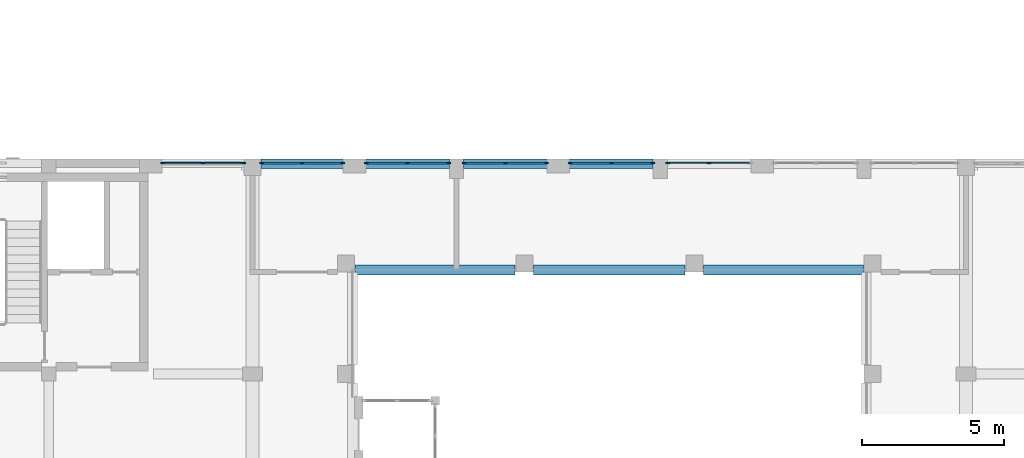
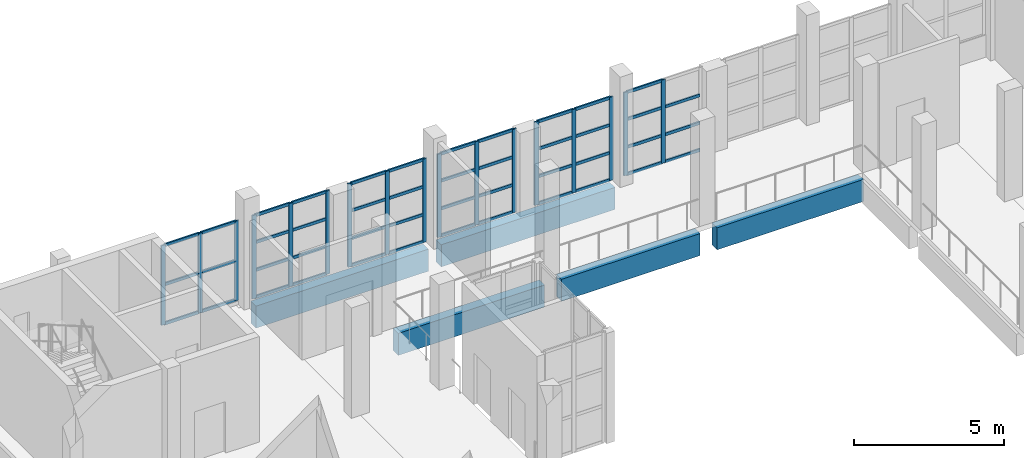
# One storey, part 10 of 58: 62 members, 5 beams, 6 elements without a shape of their own.
"""IFC4 building model written with IfcOpenShell, lengths in metres."""

from ifc_helpers import new_model, si_unit, direction, frame, origin, origin_2d, place, context, subcontext, project, spatial, rectangle, extrude, material, layer, layer_set, material_profile, profile_set, type_object, element, aggregate, save


model = new_model("IFC4")

# Units and contexts
model_context = context("Model", 3, precision=1e-05, world=origin(), true_north=direction((0.0, 1.0)))
body_context = subcontext(model_context, "Body", "Model", "MODEL_VIEW")
ifc_project = project(units=[si_unit("LENGTHUNIT", "METRE"), si_unit("AREAUNIT", "SQUARE_METRE"), si_unit("VOLUMEUNIT", "CUBIC_METRE"), si_unit("PLANEANGLEUNIT", "RADIAN"), si_unit("MASSUNIT", "GRAM", prefix="KILO")], contexts=[model_context])

# Site, building, storey
site_placement = place(None, origin())
site = spatial("IfcSite", under=ifc_project, at=site_placement, CompositionType="ELEMENT")
building_placement = place(site_placement, origin())
building = spatial("IfcBuilding", under=site, at=building_placement, Name="Ussher Court Research Institute", CompositionType="ELEMENT")
storey_placement = place(building_placement, frame((0.0, 0.0, 9.89990234375)))
storey = spatial("IfcBuildingStorey", under=building, at=storey_placement, Name="L02", CompositionType="ELEMENT", Elevation=9.89990234375)

# Curtain wall, members
ifc_material_1 = material(Name="Bronze anodised aluminium with fire-resisting glass", Category="aluminium")
ifc_layer_1 = layer(ifc_material_1, 0.1201171875)
ifc_layer_set_1 = layer_set([ifc_layer_1], Name="Bronze anodised aluminium with fire-resisting glass")
curtain_wall_type_1 = type_object("IfcCurtainWallType", Name="Curtain wall stair-side fire-resisting glazing", PredefinedType="NOTDEFINED", material=ifc_layer_set_1)
curtain_wall_1_placement = place(storey_placement, origin())
curtain_wall_1 = element("IfcCurtainWall", 1, at=curtain_wall_1_placement, inside=storey, type_object=curtain_wall_type_1, Name="Curtain wall CW13 L02", PredefinedType="NOTDEFINED")
ifc_material_2 = material(Name="Bronze anodised aluminium", Category="aluminium")
ifc_material_profile_1 = material_profile(ifc_material_2, rectangle(XDim=0.06005859375, YDim=0.159912109375, at=origin_2d()), Name="Mullion 60x160")
ifc_profile_set_1 = profile_set([ifc_material_profile_1], Name="Bronze anodised aluminium")
member_type_1 = type_object("IfcMemberType", Name="Mullion 60x160", PredefinedType="MULLION", material=ifc_profile_set_1)
member_1_placement = place(storey_placement, frame((35.830078125, 40.25, 0.150146484375), z_axis=(0.0, 0.0, 1.0), x_axis=(0.0, 1.0, 0.0)))
member_1 = element("IfcMember", 2, at=member_1_placement, type_object=member_type_1, Name="CW13 mullion 1", PredefinedType="MULLION", context=body_context, shape_type="SweptSolid", body=[
    extrude(rectangle(XDim=0.06005859375, YDim=0.159912109375, at=origin_2d()), origin(), (0.0, 0.0, 1.0), 3.25),
])
member_2_placement = place(storey_placement, frame((37.25, 40.25, 0.150146484375), z_axis=(0.0, 0.0, 1.0), x_axis=(0.0, 1.0, 0.0)))
member_2 = element("IfcMember", 3, at=member_2_placement, type_object=member_type_1, Name="CW13 mullion 2", PredefinedType="MULLION", context=body_context, shape_type="SweptSolid", body=[
    extrude(rectangle(XDim=0.06005859375, YDim=0.159912109375, at=origin_2d()), origin(), (0.0, 0.0, 1.0), 3.25),
])
member_3_placement = place(storey_placement, frame((38.669921875, 40.25, 0.150146484375), z_axis=(0.0, 0.0, 1.0), x_axis=(0.0, 1.0, 0.0)))
member_3 = element("IfcMember", 4, at=member_3_placement, type_object=member_type_1, Name="CW13 mullion 3", PredefinedType="MULLION", context=body_context, shape_type="SweptSolid", body=[
    extrude(rectangle(XDim=0.06005859375, YDim=0.159912109375, at=origin_2d()), origin(), (0.0, 0.0, 1.0), 3.25),
])

ifc_material_3 = material(Name="Bronze anodised aluminium with low-e glass", Category="aluminium")
ifc_layer_2 = layer(ifc_material_3, 0.1201171875)
ifc_layer_set_2 = layer_set([ifc_layer_2], Name="Bronze anodised aluminium with low-e glass")
curtain_wall_type_2 = type_object("IfcCurtainWallType", Name="Curtain wall atrium clear glazing", PredefinedType="NOTDEFINED", material=ifc_layer_set_2)
curtain_wall_2_placement = place(storey_placement, origin())
curtain_wall_2 = element("IfcCurtainWall", 5, at=curtain_wall_2_placement, inside=storey, type_object=curtain_wall_type_2, Name="Curtain wall CW2 L02", PredefinedType="NOTDEFINED")
member_4_placement = place(storey_placement, frame((39.330078125, 40.25, 0.0), z_axis=(0.0, 0.0, 1.0), x_axis=(0.0, 1.0, 0.0)))
member_4 = element("IfcMember", 6, at=member_4_placement, type_object=member_type_1, Name="CW2 mullion 1", PredefinedType="MULLION", context=body_context, shape_type="SweptSolid", body=[
    extrude(rectangle(XDim=0.06005859375, YDim=0.159912109375, at=origin_2d()), origin(), (0.0, 0.0, 1.0), 3.400146484375),
])
member_5_placement = place(storey_placement, frame((40.75, 40.25, 0.0), z_axis=(0.0, 0.0, 1.0), x_axis=(0.0, 1.0, 0.0)))
member_5 = element("IfcMember", 7, at=member_5_placement, type_object=member_type_1, Name="CW2 mullion 2", PredefinedType="MULLION", context=body_context, shape_type="SweptSolid", body=[
    extrude(rectangle(XDim=0.06005859375, YDim=0.159912109375, at=origin_2d()), origin(), (0.0, 0.0, 1.0), 3.400146484375),
])
member_6_placement = place(storey_placement, frame((42.169921875, 40.25, 0.0), z_axis=(0.0, 0.0, 1.0), x_axis=(0.0, 1.0, 0.0)))
member_6 = element("IfcMember", 8, at=member_6_placement, type_object=member_type_1, Name="CW2 mullion 3", PredefinedType="MULLION", context=body_context, shape_type="SweptSolid", body=[
    extrude(rectangle(XDim=0.06005859375, YDim=0.159912109375, at=origin_2d()), origin(), (0.0, 0.0, 1.0), 3.400146484375),
])

curtain_wall_3_placement = place(storey_placement, origin())
curtain_wall_3 = element("IfcCurtainWall", 9, at=curtain_wall_3_placement, inside=storey, type_object=curtain_wall_type_2, Name="Curtain wall CW2 L02", PredefinedType="NOTDEFINED")
member_7_placement = place(storey_placement, frame((43.030029296875, 40.25, 0.0), z_axis=(0.0, 0.0, 1.0), x_axis=(0.0, 1.0, 0.0)))
member_7 = element("IfcMember", 10, at=member_7_placement, type_object=member_type_1, Name="CW2 mullion 1", PredefinedType="MULLION", context=body_context, shape_type="SweptSolid", body=[
    extrude(rectangle(XDim=0.06005859375, YDim=0.159912109375, at=origin_2d()), origin(), (0.0, 0.0, 1.0), 3.400146484375),
])
member_8_placement = place(storey_placement, frame((44.47509765625, 40.25, 0.0), z_axis=(0.0, 0.0, 1.0), x_axis=(0.0, 1.0, 0.0)))
member_8 = element("IfcMember", 11, at=member_8_placement, type_object=member_type_1, Name="CW2 mullion 2", PredefinedType="MULLION", context=body_context, shape_type="SweptSolid", body=[
    extrude(rectangle(XDim=0.06005859375, YDim=0.159912109375, at=origin_2d()), origin(), (0.0, 0.0, 1.0), 3.400146484375),
])
member_9_placement = place(storey_placement, frame((45.919921875, 40.25, 0.0), z_axis=(0.0, 0.0, 1.0), x_axis=(0.0, 1.0, 0.0)))
member_9 = element("IfcMember", 12, at=member_9_placement, type_object=member_type_1, Name="CW2 mullion 3", PredefinedType="MULLION", context=body_context, shape_type="SweptSolid", body=[
    extrude(rectangle(XDim=0.06005859375, YDim=0.159912109375, at=origin_2d()), origin(), (0.0, 0.0, 1.0), 3.400146484375),
])

curtain_wall_4_placement = place(storey_placement, origin())
curtain_wall_4 = element("IfcCurtainWall", 13, at=curtain_wall_4_placement, inside=storey, type_object=curtain_wall_type_2, Name="Curtain wall CW2 L02", PredefinedType="NOTDEFINED")
member_10_placement = place(storey_placement, frame((46.47998046875, 40.25, 0.0), z_axis=(0.0, 0.0, 1.0), x_axis=(0.0, 1.0, 0.0)))
member_10 = element("IfcMember", 14, at=member_10_placement, type_object=member_type_1, Name="CW2 mullion 1", PredefinedType="MULLION", context=body_context, shape_type="SweptSolid", body=[
    extrude(rectangle(XDim=0.06005859375, YDim=0.159912109375, at=origin_2d()), origin(), (0.0, 0.0, 1.0), 3.400146484375),
])
member_11_placement = place(storey_placement, frame((47.925048828125, 40.25, 0.0), z_axis=(0.0, 0.0, 1.0), x_axis=(0.0, 1.0, 0.0)))
member_11 = element("IfcMember", 15, at=member_11_placement, type_object=member_type_1, Name="CW2 mullion 2", PredefinedType="MULLION", context=body_context, shape_type="SweptSolid", body=[
    extrude(rectangle(XDim=0.06005859375, YDim=0.159912109375, at=origin_2d()), origin(), (0.0, 0.0, 1.0), 3.400146484375),
])
member_12_placement = place(storey_placement, frame((49.3701171875, 40.25, 0.0), z_axis=(0.0, 0.0, 1.0), x_axis=(0.0, 1.0, 0.0)))
member_12 = element("IfcMember", 16, at=member_12_placement, type_object=member_type_1, Name="CW2 mullion 3", PredefinedType="MULLION", context=body_context, shape_type="SweptSolid", body=[
    extrude(rectangle(XDim=0.06005859375, YDim=0.159912109375, at=origin_2d()), origin(), (0.0, 0.0, 1.0), 3.400146484375),
])

curtain_wall_5_placement = place(storey_placement, origin())
curtain_wall_5 = element("IfcCurtainWall", 17, at=curtain_wall_5_placement, inside=storey, type_object=curtain_wall_type_2, Name="Curtain wall CW2 L02", PredefinedType="NOTDEFINED")
member_13_placement = place(storey_placement, frame((50.22998046875, 40.25, 0.0), z_axis=(0.0, 0.0, 1.0), x_axis=(0.0, 1.0, 0.0)))
member_13 = element("IfcMember", 18, at=member_13_placement, type_object=member_type_1, Name="CW2 mullion 1", PredefinedType="MULLION", context=body_context, shape_type="SweptSolid", body=[
    extrude(rectangle(XDim=0.06005859375, YDim=0.159912109375, at=origin_2d()), origin(), (0.0, 0.0, 1.0), 3.400146484375),
])
member_14_placement = place(storey_placement, frame((51.675048828125, 40.25, 0.0), z_axis=(0.0, 0.0, 1.0), x_axis=(0.0, 1.0, 0.0)))
member_14 = element("IfcMember", 19, at=member_14_placement, type_object=member_type_1, Name="CW2 mullion 2", PredefinedType="MULLION", context=body_context, shape_type="SweptSolid", body=[
    extrude(rectangle(XDim=0.06005859375, YDim=0.159912109375, at=origin_2d()), origin(), (0.0, 0.0, 1.0), 3.400146484375),
])
member_15_placement = place(storey_placement, frame((53.1201171875, 40.25, 0.0), z_axis=(0.0, 0.0, 1.0), x_axis=(0.0, 1.0, 0.0)))
member_15 = element("IfcMember", 20, at=member_15_placement, type_object=member_type_1, Name="CW2 mullion 3", PredefinedType="MULLION", context=body_context, shape_type="SweptSolid", body=[
    extrude(rectangle(XDim=0.06005859375, YDim=0.159912109375, at=origin_2d()), origin(), (0.0, 0.0, 1.0), 3.400146484375),
])

curtain_wall_6_placement = place(storey_placement, origin())
curtain_wall_6 = element("IfcCurtainWall", 21, at=curtain_wall_6_placement, inside=storey, type_object=curtain_wall_type_2, Name="Curtain wall CW2 L02", PredefinedType="NOTDEFINED")
member_16_placement = place(storey_placement, frame((53.679931640625, 40.25, 0.0), z_axis=(0.0, 0.0, 1.0), x_axis=(0.0, 1.0, 0.0)))
member_16 = element("IfcMember", 22, at=member_16_placement, type_object=member_type_1, Name="CW2 mullion 1", PredefinedType="MULLION", context=body_context, shape_type="SweptSolid", body=[
    extrude(rectangle(XDim=0.06005859375, YDim=0.159912109375, at=origin_2d()), origin(), (0.0, 0.0, 1.0), 3.400146484375),
])
member_17_placement = place(storey_placement, frame((55.125, 40.25, 0.0), z_axis=(0.0, 0.0, 1.0), x_axis=(0.0, 1.0, 0.0)))
member_17 = element("IfcMember", 23, at=member_17_placement, type_object=member_type_1, Name="CW2 mullion 2", PredefinedType="MULLION", context=body_context, shape_type="SweptSolid", body=[
    extrude(rectangle(XDim=0.06005859375, YDim=0.159912109375, at=origin_2d()), origin(), (0.0, 0.0, 1.0), 3.400146484375),
])

# Beams
ifc_material_4 = material(Name="Concrete C35/45", Category="concrete")
ifc_material_profile_2 = material_profile(ifc_material_4, rectangle(XDim=0.35009765625, YDim=0.89990234375, at=origin_2d()), Name="RC 350x900")
ifc_profile_set_2 = profile_set([ifc_material_profile_2], Name="Concrete C35/45")
beam_type = type_object("IfcBeamType", Name="RC 350x900 beam", PredefinedType="BEAM", material=ifc_profile_set_2)
beam_1_placement = place(storey_placement, frame((39.300048828125, 40.22509765625, -0.64990234375), z_axis=(1.0, 0.0, 0.0), x_axis=(0.0, 1.0, 0.0)))
element("IfcBeam", 24, at=beam_1_placement, inside=storey, type_object=beam_type, Name="SB1 V2 L02-05", PredefinedType="BEAM", context=body_context, shape_type="SweptSolid", body=[
    extrude(rectangle(XDim=0.35009765625, YDim=0.89990234375, at=origin_2d()), origin(), (0.0, 0.0, 1.0), 6.64990234375),
])
beam_2_placement = place(storey_placement, frame((46.449951171875, 40.22509765625, -0.64990234375), z_axis=(1.0, 0.0, 0.0), x_axis=(0.0, 1.0, 0.0)))
element("IfcBeam", 25, at=beam_2_placement, inside=storey, type_object=beam_type, Name="SB1 V2 L02-06", PredefinedType="BEAM", context=body_context, shape_type="SweptSolid", body=[
    extrude(rectangle(XDim=0.35009765625, YDim=0.89990234375, at=origin_2d()), origin(), (0.0, 0.0, 1.0), 6.699951171875),
])
beam_3_placement = place(storey_placement, frame((42.625, 36.47509765625, -0.64990234375), z_axis=(1.0, 0.0, 0.0), x_axis=(0.0, 1.0, 0.0)))
element("IfcBeam", 26, at=beam_3_placement, inside=storey, type_object=beam_type, Name="SB1 V2 L02-20", PredefinedType="BEAM", context=body_context, shape_type="SweptSolid", body=[
    extrude(rectangle(XDim=0.35009765625, YDim=0.89990234375, at=origin_2d()), origin(), (0.0, 0.0, 1.0), 5.64990234375),
])
beam_4_placement = place(storey_placement, frame((48.925048828125, 36.47509765625, -0.64990234375), z_axis=(1.0, 0.0, 0.0), x_axis=(0.0, 1.0, 0.0)))
element("IfcBeam", 27, at=beam_4_placement, inside=storey, type_object=beam_type, Name="SB1 V2 L02-21", PredefinedType="BEAM", context=body_context, shape_type="SweptSolid", body=[
    extrude(rectangle(XDim=0.35009765625, YDim=0.89990234375, at=origin_2d()), origin(), (0.0, 0.0, 1.0), 5.349853515625),
])
beam_5_placement = place(storey_placement, frame((54.925048828125, 36.47509765625, -0.64990234375), z_axis=(1.0, 0.0, 0.0), x_axis=(0.0, 1.0, 0.0)))
element("IfcBeam", 28, at=beam_5_placement, inside=storey, type_object=beam_type, Name="SB1 V2 L02-22", PredefinedType="BEAM", context=body_context, shape_type="SweptSolid", body=[
    extrude(rectangle(XDim=0.35009765625, YDim=0.89990234375, at=origin_2d()), origin(), (0.0, 0.0, 1.0), 5.64990234375),
])

# Member
ifc_material_5 = material(Name="Bronze anodised aluminium", Category="aluminium")
ifc_material_profile_3 = material_profile(ifc_material_5, rectangle(XDim=0.06005859375, YDim=0.1201171875, at=origin_2d()), Name="Transom 60x120")
ifc_profile_set_3 = profile_set([ifc_material_profile_3], Name="Bronze anodised aluminium")
member_type_2 = type_object("IfcMemberType", Name="Transom 60x120", PredefinedType="USERDEFINED", material=ifc_profile_set_3)
member_18_placement = place(storey_placement, frame((35.860107421875, 40.25, 0.18017578125), z_axis=(1.0, 0.0, 0.0), x_axis=(0.0, 1.0, 0.0)))
member_18 = element("IfcMember", 29, at=member_18_placement, type_object=member_type_2, Name="CW13 transom 1.1", ObjectType="TRANSOM", PredefinedType="USERDEFINED", context=body_context, shape_type="SweptSolid", body=[
    extrude(rectangle(XDim=0.06005859375, YDim=0.1201171875, at=origin_2d()), origin(), (0.0, 0.0, 1.0), 1.35986328125),
])

member_19_placement = place(storey_placement, frame((35.860107421875, 40.25, 1.775146484375), z_axis=(1.0, 0.0, 0.0), x_axis=(0.0, 1.0, 0.0)))
member_19 = element("IfcMember", 30, at=member_19_placement, type_object=member_type_2, Name="CW13 transom 1.2", ObjectType="TRANSOM", PredefinedType="USERDEFINED", context=body_context, shape_type="SweptSolid", body=[
    extrude(rectangle(XDim=0.06005859375, YDim=0.1201171875, at=origin_2d()), origin(), (0.0, 0.0, 1.0), 1.35986328125),
])

member_20_placement = place(storey_placement, frame((35.860107421875, 40.25, 3.3701171875), z_axis=(1.0, 0.0, 0.0), x_axis=(0.0, 1.0, 0.0)))
member_20 = element("IfcMember", 31, at=member_20_placement, type_object=member_type_2, Name="CW13 transom 1.3", ObjectType="TRANSOM", PredefinedType="USERDEFINED", context=body_context, shape_type="SweptSolid", body=[
    extrude(rectangle(XDim=0.06005859375, YDim=0.1201171875, at=origin_2d()), origin(), (0.0, 0.0, 1.0), 1.35986328125),
])

member_21_placement = place(storey_placement, frame((37.280029296875, 40.25, 0.18017578125), z_axis=(1.0, 0.0, 0.0), x_axis=(0.0, 1.0, 0.0)))
member_21 = element("IfcMember", 32, at=member_21_placement, type_object=member_type_2, Name="CW13 transom 2.1", ObjectType="TRANSOM", PredefinedType="USERDEFINED", context=body_context, shape_type="SweptSolid", body=[
    extrude(rectangle(XDim=0.06005859375, YDim=0.1201171875, at=origin_2d()), origin(), (0.0, 0.0, 1.0), 1.35986328125),
])

member_22_placement = place(storey_placement, frame((37.280029296875, 40.25, 1.775146484375), z_axis=(1.0, 0.0, 0.0), x_axis=(0.0, 1.0, 0.0)))
member_22 = element("IfcMember", 33, at=member_22_placement, type_object=member_type_2, Name="CW13 transom 2.2", ObjectType="TRANSOM", PredefinedType="USERDEFINED", context=body_context, shape_type="SweptSolid", body=[
    extrude(rectangle(XDim=0.06005859375, YDim=0.1201171875, at=origin_2d()), origin(), (0.0, 0.0, 1.0), 1.35986328125),
])

member_23_placement = place(storey_placement, frame((37.280029296875, 40.25, 3.3701171875), z_axis=(1.0, 0.0, 0.0), x_axis=(0.0, 1.0, 0.0)))
member_23 = element("IfcMember", 34, at=member_23_placement, type_object=member_type_2, Name="CW13 transom 2.3", ObjectType="TRANSOM", PredefinedType="USERDEFINED", context=body_context, shape_type="SweptSolid", body=[
    extrude(rectangle(XDim=0.06005859375, YDim=0.1201171875, at=origin_2d()), origin(), (0.0, 0.0, 1.0), 1.35986328125),
])

aggregate(curtain_wall_1, [member_1, member_2, member_3, member_18, member_19, member_20, member_21, member_22, member_23])

member_24_placement = place(storey_placement, frame((39.360107421875, 40.25, 0.030029296875), z_axis=(1.0, 0.0, 0.0), x_axis=(0.0, 1.0, 0.0)))
member_24 = element("IfcMember", 35, at=member_24_placement, type_object=member_type_2, Name="CW2 transom 1.1", ObjectType="TRANSOM", PredefinedType="USERDEFINED", context=body_context, shape_type="SweptSolid", body=[
    extrude(rectangle(XDim=0.06005859375, YDim=0.1201171875, at=origin_2d()), origin(), (0.0, 0.0, 1.0), 1.35986328125),
])

member_25_placement = place(storey_placement, frame((39.360107421875, 40.25, 1.13330078125), z_axis=(1.0, 0.0, 0.0), x_axis=(0.0, 1.0, 0.0)))
member_25 = element("IfcMember", 36, at=member_25_placement, type_object=member_type_2, Name="CW2 transom 1.2", ObjectType="TRANSOM", PredefinedType="USERDEFINED", context=body_context, shape_type="SweptSolid", body=[
    extrude(rectangle(XDim=0.06005859375, YDim=0.1201171875, at=origin_2d()), origin(), (0.0, 0.0, 1.0), 1.35986328125),
])

member_26_placement = place(storey_placement, frame((39.360107421875, 40.25, 2.266845703125), z_axis=(1.0, 0.0, 0.0), x_axis=(0.0, 1.0, 0.0)))
member_26 = element("IfcMember", 37, at=member_26_placement, type_object=member_type_2, Name="CW2 transom 1.3", ObjectType="TRANSOM", PredefinedType="USERDEFINED", context=body_context, shape_type="SweptSolid", body=[
    extrude(rectangle(XDim=0.06005859375, YDim=0.1201171875, at=origin_2d()), origin(), (0.0, 0.0, 1.0), 1.35986328125),
])

member_27_placement = place(storey_placement, frame((39.360107421875, 40.25, 3.3701171875), z_axis=(1.0, 0.0, 0.0), x_axis=(0.0, 1.0, 0.0)))
member_27 = element("IfcMember", 38, at=member_27_placement, type_object=member_type_2, Name="CW2 transom 1.4", ObjectType="TRANSOM", PredefinedType="USERDEFINED", context=body_context, shape_type="SweptSolid", body=[
    extrude(rectangle(XDim=0.06005859375, YDim=0.1201171875, at=origin_2d()), origin(), (0.0, 0.0, 1.0), 1.35986328125),
])

member_28_placement = place(storey_placement, frame((40.780029296875, 40.25, 0.030029296875), z_axis=(1.0, 0.0, 0.0), x_axis=(0.0, 1.0, 0.0)))
member_28 = element("IfcMember", 39, at=member_28_placement, type_object=member_type_2, Name="CW2 transom 2.1", ObjectType="TRANSOM", PredefinedType="USERDEFINED", context=body_context, shape_type="SweptSolid", body=[
    extrude(rectangle(XDim=0.06005859375, YDim=0.1201171875, at=origin_2d()), origin(), (0.0, 0.0, 1.0), 1.35986328125),
])

member_29_placement = place(storey_placement, frame((40.780029296875, 40.25, 1.13330078125), z_axis=(1.0, 0.0, 0.0), x_axis=(0.0, 1.0, 0.0)))
member_29 = element("IfcMember", 40, at=member_29_placement, type_object=member_type_2, Name="CW2 transom 2.2", ObjectType="TRANSOM", PredefinedType="USERDEFINED", context=body_context, shape_type="SweptSolid", body=[
    extrude(rectangle(XDim=0.06005859375, YDim=0.1201171875, at=origin_2d()), origin(), (0.0, 0.0, 1.0), 1.35986328125),
])

member_30_placement = place(storey_placement, frame((40.780029296875, 40.25, 2.266845703125), z_axis=(1.0, 0.0, 0.0), x_axis=(0.0, 1.0, 0.0)))
member_30 = element("IfcMember", 41, at=member_30_placement, type_object=member_type_2, Name="CW2 transom 2.3", ObjectType="TRANSOM", PredefinedType="USERDEFINED", context=body_context, shape_type="SweptSolid", body=[
    extrude(rectangle(XDim=0.06005859375, YDim=0.1201171875, at=origin_2d()), origin(), (0.0, 0.0, 1.0), 1.35986328125),
])

member_31_placement = place(storey_placement, frame((40.780029296875, 40.25, 3.3701171875), z_axis=(1.0, 0.0, 0.0), x_axis=(0.0, 1.0, 0.0)))
member_31 = element("IfcMember", 42, at=member_31_placement, type_object=member_type_2, Name="CW2 transom 2.4", ObjectType="TRANSOM", PredefinedType="USERDEFINED", context=body_context, shape_type="SweptSolid", body=[
    extrude(rectangle(XDim=0.06005859375, YDim=0.1201171875, at=origin_2d()), origin(), (0.0, 0.0, 1.0), 1.35986328125),
])

aggregate(curtain_wall_2, [member_4, member_5, member_6, member_24, member_25, member_26, member_27, member_28, member_29, member_30, member_31])

member_32_placement = place(storey_placement, frame((43.06005859375, 40.25, 0.030029296875), z_axis=(1.0, 0.0, 0.0), x_axis=(0.0, 1.0, 0.0)))
member_32 = element("IfcMember", 43, at=member_32_placement, type_object=member_type_2, Name="CW2 transom 1.1", ObjectType="TRANSOM", PredefinedType="USERDEFINED", context=body_context, shape_type="SweptSolid", body=[
    extrude(rectangle(XDim=0.06005859375, YDim=0.1201171875, at=origin_2d()), origin(), (0.0, 0.0, 1.0), 1.385009765625),
])

member_33_placement = place(storey_placement, frame((43.06005859375, 40.25, 1.13330078125), z_axis=(1.0, 0.0, 0.0), x_axis=(0.0, 1.0, 0.0)))
member_33 = element("IfcMember", 44, at=member_33_placement, type_object=member_type_2, Name="CW2 transom 1.2", ObjectType="TRANSOM", PredefinedType="USERDEFINED", context=body_context, shape_type="SweptSolid", body=[
    extrude(rectangle(XDim=0.06005859375, YDim=0.1201171875, at=origin_2d()), origin(), (0.0, 0.0, 1.0), 1.385009765625),
])

member_34_placement = place(storey_placement, frame((43.06005859375, 40.25, 2.266845703125), z_axis=(1.0, 0.0, 0.0), x_axis=(0.0, 1.0, 0.0)))
member_34 = element("IfcMember", 45, at=member_34_placement, type_object=member_type_2, Name="CW2 transom 1.3", ObjectType="TRANSOM", PredefinedType="USERDEFINED", context=body_context, shape_type="SweptSolid", body=[
    extrude(rectangle(XDim=0.06005859375, YDim=0.1201171875, at=origin_2d()), origin(), (0.0, 0.0, 1.0), 1.385009765625),
])

member_35_placement = place(storey_placement, frame((43.06005859375, 40.25, 3.3701171875), z_axis=(1.0, 0.0, 0.0), x_axis=(0.0, 1.0, 0.0)))
member_35 = element("IfcMember", 46, at=member_35_placement, type_object=member_type_2, Name="CW2 transom 1.4", ObjectType="TRANSOM", PredefinedType="USERDEFINED", context=body_context, shape_type="SweptSolid", body=[
    extrude(rectangle(XDim=0.06005859375, YDim=0.1201171875, at=origin_2d()), origin(), (0.0, 0.0, 1.0), 1.385009765625),
])

member_36_placement = place(storey_placement, frame((44.5048828125, 40.25, 0.030029296875), z_axis=(1.0, 0.0, 0.0), x_axis=(0.0, 1.0, 0.0)))
member_36 = element("IfcMember", 47, at=member_36_placement, type_object=member_type_2, Name="CW2 transom 2.1", ObjectType="TRANSOM", PredefinedType="USERDEFINED", context=body_context, shape_type="SweptSolid", body=[
    extrude(rectangle(XDim=0.06005859375, YDim=0.1201171875, at=origin_2d()), origin(), (0.0, 0.0, 1.0), 1.385009765625),
])

member_37_placement = place(storey_placement, frame((44.5048828125, 40.25, 1.13330078125), z_axis=(1.0, 0.0, 0.0), x_axis=(0.0, 1.0, 0.0)))
member_37 = element("IfcMember", 48, at=member_37_placement, type_object=member_type_2, Name="CW2 transom 2.2", ObjectType="TRANSOM", PredefinedType="USERDEFINED", context=body_context, shape_type="SweptSolid", body=[
    extrude(rectangle(XDim=0.06005859375, YDim=0.1201171875, at=origin_2d()), origin(), (0.0, 0.0, 1.0), 1.385009765625),
])

member_38_placement = place(storey_placement, frame((44.5048828125, 40.25, 2.266845703125), z_axis=(1.0, 0.0, 0.0), x_axis=(0.0, 1.0, 0.0)))
member_38 = element("IfcMember", 49, at=member_38_placement, type_object=member_type_2, Name="CW2 transom 2.3", ObjectType="TRANSOM", PredefinedType="USERDEFINED", context=body_context, shape_type="SweptSolid", body=[
    extrude(rectangle(XDim=0.06005859375, YDim=0.1201171875, at=origin_2d()), origin(), (0.0, 0.0, 1.0), 1.385009765625),
])

member_39_placement = place(storey_placement, frame((44.5048828125, 40.25, 3.3701171875), z_axis=(1.0, 0.0, 0.0), x_axis=(0.0, 1.0, 0.0)))
member_39 = element("IfcMember", 50, at=member_39_placement, type_object=member_type_2, Name="CW2 transom 2.4", ObjectType="TRANSOM", PredefinedType="USERDEFINED", context=body_context, shape_type="SweptSolid", body=[
    extrude(rectangle(XDim=0.06005859375, YDim=0.1201171875, at=origin_2d()), origin(), (0.0, 0.0, 1.0), 1.385009765625),
])

aggregate(curtain_wall_3, [member_7, member_8, member_9, member_32, member_33, member_34, member_35, member_36, member_37, member_38, member_39])

member_40_placement = place(storey_placement, frame((46.510009765625, 40.25, 0.030029296875), z_axis=(1.0, 0.0, 0.0), x_axis=(0.0, 1.0, 0.0)))
member_40 = element("IfcMember", 51, at=member_40_placement, type_object=member_type_2, Name="CW2 transom 1.1", ObjectType="TRANSOM", PredefinedType="USERDEFINED", context=body_context, shape_type="SweptSolid", body=[
    extrude(rectangle(XDim=0.06005859375, YDim=0.1201171875, at=origin_2d()), origin(), (0.0, 0.0, 1.0), 1.385009765625),
])

member_41_placement = place(storey_placement, frame((46.510009765625, 40.25, 1.13330078125), z_axis=(1.0, 0.0, 0.0), x_axis=(0.0, 1.0, 0.0)))
member_41 = element("IfcMember", 52, at=member_41_placement, type_object=member_type_2, Name="CW2 transom 1.2", ObjectType="TRANSOM", PredefinedType="USERDEFINED", context=body_context, shape_type="SweptSolid", body=[
    extrude(rectangle(XDim=0.06005859375, YDim=0.1201171875, at=origin_2d()), origin(), (0.0, 0.0, 1.0), 1.385009765625),
])

member_42_placement = place(storey_placement, frame((46.510009765625, 40.25, 2.266845703125), z_axis=(1.0, 0.0, 0.0), x_axis=(0.0, 1.0, 0.0)))
member_42 = element("IfcMember", 53, at=member_42_placement, type_object=member_type_2, Name="CW2 transom 1.3", ObjectType="TRANSOM", PredefinedType="USERDEFINED", context=body_context, shape_type="SweptSolid", body=[
    extrude(rectangle(XDim=0.06005859375, YDim=0.1201171875, at=origin_2d()), origin(), (0.0, 0.0, 1.0), 1.385009765625),
])

member_43_placement = place(storey_placement, frame((46.510009765625, 40.25, 3.3701171875), z_axis=(1.0, 0.0, 0.0), x_axis=(0.0, 1.0, 0.0)))
member_43 = element("IfcMember", 54, at=member_43_placement, type_object=member_type_2, Name="CW2 transom 1.4", ObjectType="TRANSOM", PredefinedType="USERDEFINED", context=body_context, shape_type="SweptSolid", body=[
    extrude(rectangle(XDim=0.06005859375, YDim=0.1201171875, at=origin_2d()), origin(), (0.0, 0.0, 1.0), 1.385009765625),
])

member_44_placement = place(storey_placement, frame((47.955078125, 40.25, 0.030029296875), z_axis=(1.0, 0.0, 0.0), x_axis=(0.0, 1.0, 0.0)))
member_44 = element("IfcMember", 55, at=member_44_placement, type_object=member_type_2, Name="CW2 transom 2.1", ObjectType="TRANSOM", PredefinedType="USERDEFINED", context=body_context, shape_type="SweptSolid", body=[
    extrude(rectangle(XDim=0.06005859375, YDim=0.1201171875, at=origin_2d()), origin(), (0.0, 0.0, 1.0), 1.385009765625),
])

member_45_placement = place(storey_placement, frame((47.955078125, 40.25, 1.13330078125), z_axis=(1.0, 0.0, 0.0), x_axis=(0.0, 1.0, 0.0)))
member_45 = element("IfcMember", 56, at=member_45_placement, type_object=member_type_2, Name="CW2 transom 2.2", ObjectType="TRANSOM", PredefinedType="USERDEFINED", context=body_context, shape_type="SweptSolid", body=[
    extrude(rectangle(XDim=0.06005859375, YDim=0.1201171875, at=origin_2d()), origin(), (0.0, 0.0, 1.0), 1.385009765625),
])

member_46_placement = place(storey_placement, frame((47.955078125, 40.25, 2.266845703125), z_axis=(1.0, 0.0, 0.0), x_axis=(0.0, 1.0, 0.0)))
member_46 = element("IfcMember", 57, at=member_46_placement, type_object=member_type_2, Name="CW2 transom 2.3", ObjectType="TRANSOM", PredefinedType="USERDEFINED", context=body_context, shape_type="SweptSolid", body=[
    extrude(rectangle(XDim=0.06005859375, YDim=0.1201171875, at=origin_2d()), origin(), (0.0, 0.0, 1.0), 1.385009765625),
])

member_47_placement = place(storey_placement, frame((47.955078125, 40.25, 3.3701171875), z_axis=(1.0, 0.0, 0.0), x_axis=(0.0, 1.0, 0.0)))
member_47 = element("IfcMember", 58, at=member_47_placement, type_object=member_type_2, Name="CW2 transom 2.4", ObjectType="TRANSOM", PredefinedType="USERDEFINED", context=body_context, shape_type="SweptSolid", body=[
    extrude(rectangle(XDim=0.06005859375, YDim=0.1201171875, at=origin_2d()), origin(), (0.0, 0.0, 1.0), 1.385009765625),
])

aggregate(curtain_wall_4, [member_10, member_11, member_12, member_40, member_41, member_42, member_43, member_44, member_45, member_46, member_47])

member_48_placement = place(storey_placement, frame((50.260009765625, 40.25, 0.030029296875), z_axis=(1.0, 0.0, 0.0), x_axis=(0.0, 1.0, 0.0)))
member_48 = element("IfcMember", 59, at=member_48_placement, type_object=member_type_2, Name="CW2 transom 1.1", ObjectType="TRANSOM", PredefinedType="USERDEFINED", context=body_context, shape_type="SweptSolid", body=[
    extrude(rectangle(XDim=0.06005859375, YDim=0.1201171875, at=origin_2d()), origin(), (0.0, 0.0, 1.0), 1.385009765625),
])

member_49_placement = place(storey_placement, frame((50.260009765625, 40.25, 1.13330078125), z_axis=(1.0, 0.0, 0.0), x_axis=(0.0, 1.0, 0.0)))
member_49 = element("IfcMember", 60, at=member_49_placement, type_object=member_type_2, Name="CW2 transom 1.2", ObjectType="TRANSOM", PredefinedType="USERDEFINED", context=body_context, shape_type="SweptSolid", body=[
    extrude(rectangle(XDim=0.06005859375, YDim=0.1201171875, at=origin_2d()), origin(), (0.0, 0.0, 1.0), 1.385009765625),
])

member_50_placement = place(storey_placement, frame((50.260009765625, 40.25, 2.266845703125), z_axis=(1.0, 0.0, 0.0), x_axis=(0.0, 1.0, 0.0)))
member_50 = element("IfcMember", 61, at=member_50_placement, type_object=member_type_2, Name="CW2 transom 1.3", ObjectType="TRANSOM", PredefinedType="USERDEFINED", context=body_context, shape_type="SweptSolid", body=[
    extrude(rectangle(XDim=0.06005859375, YDim=0.1201171875, at=origin_2d()), origin(), (0.0, 0.0, 1.0), 1.385009765625),
])

member_51_placement = place(storey_placement, frame((50.260009765625, 40.25, 3.3701171875), z_axis=(1.0, 0.0, 0.0), x_axis=(0.0, 1.0, 0.0)))
member_51 = element("IfcMember", 62, at=member_51_placement, type_object=member_type_2, Name="CW2 transom 1.4", ObjectType="TRANSOM", PredefinedType="USERDEFINED", context=body_context, shape_type="SweptSolid", body=[
    extrude(rectangle(XDim=0.06005859375, YDim=0.1201171875, at=origin_2d()), origin(), (0.0, 0.0, 1.0), 1.385009765625),
])

member_52_placement = place(storey_placement, frame((51.705078125, 40.25, 0.030029296875), z_axis=(1.0, 0.0, 0.0), x_axis=(0.0, 1.0, 0.0)))
member_52 = element("IfcMember", 63, at=member_52_placement, type_object=member_type_2, Name="CW2 transom 2.1", ObjectType="TRANSOM", PredefinedType="USERDEFINED", context=body_context, shape_type="SweptSolid", body=[
    extrude(rectangle(XDim=0.06005859375, YDim=0.1201171875, at=origin_2d()), origin(), (0.0, 0.0, 1.0), 1.385009765625),
])

member_53_placement = place(storey_placement, frame((51.705078125, 40.25, 1.13330078125), z_axis=(1.0, 0.0, 0.0), x_axis=(0.0, 1.0, 0.0)))
member_53 = element("IfcMember", 64, at=member_53_placement, type_object=member_type_2, Name="CW2 transom 2.2", ObjectType="TRANSOM", PredefinedType="USERDEFINED", context=body_context, shape_type="SweptSolid", body=[
    extrude(rectangle(XDim=0.06005859375, YDim=0.1201171875, at=origin_2d()), origin(), (0.0, 0.0, 1.0), 1.385009765625),
])

member_54_placement = place(storey_placement, frame((51.705078125, 40.25, 2.266845703125), z_axis=(1.0, 0.0, 0.0), x_axis=(0.0, 1.0, 0.0)))
member_54 = element("IfcMember", 65, at=member_54_placement, type_object=member_type_2, Name="CW2 transom 2.3", ObjectType="TRANSOM", PredefinedType="USERDEFINED", context=body_context, shape_type="SweptSolid", body=[
    extrude(rectangle(XDim=0.06005859375, YDim=0.1201171875, at=origin_2d()), origin(), (0.0, 0.0, 1.0), 1.385009765625),
])

member_55_placement = place(storey_placement, frame((51.705078125, 40.25, 3.3701171875), z_axis=(1.0, 0.0, 0.0), x_axis=(0.0, 1.0, 0.0)))
member_55 = element("IfcMember", 66, at=member_55_placement, type_object=member_type_2, Name="CW2 transom 2.4", ObjectType="TRANSOM", PredefinedType="USERDEFINED", context=body_context, shape_type="SweptSolid", body=[
    extrude(rectangle(XDim=0.06005859375, YDim=0.1201171875, at=origin_2d()), origin(), (0.0, 0.0, 1.0), 1.385009765625),
])

aggregate(curtain_wall_5, [member_13, member_14, member_15, member_48, member_49, member_50, member_51, member_52, member_53, member_54, member_55])

member_56_placement = place(storey_placement, frame((53.7099609375, 40.25, 0.030029296875), z_axis=(1.0, 0.0, 0.0), x_axis=(0.0, 1.0, 0.0)))
member_56 = element("IfcMember", 67, at=member_56_placement, type_object=member_type_2, Name="CW2 transom 1.1", ObjectType="TRANSOM", PredefinedType="USERDEFINED", context=body_context, shape_type="SweptSolid", body=[
    extrude(rectangle(XDim=0.06005859375, YDim=0.1201171875, at=origin_2d()), origin(), (0.0, 0.0, 1.0), 1.385009765625),
])

member_57_placement = place(storey_placement, frame((53.7099609375, 40.25, 1.13330078125), z_axis=(1.0, 0.0, 0.0), x_axis=(0.0, 1.0, 0.0)))
member_57 = element("IfcMember", 68, at=member_57_placement, type_object=member_type_2, Name="CW2 transom 1.2", ObjectType="TRANSOM", PredefinedType="USERDEFINED", context=body_context, shape_type="SweptSolid", body=[
    extrude(rectangle(XDim=0.06005859375, YDim=0.1201171875, at=origin_2d()), origin(), (0.0, 0.0, 1.0), 1.385009765625),
])

member_58_placement = place(storey_placement, frame((53.7099609375, 40.25, 2.266845703125), z_axis=(1.0, 0.0, 0.0), x_axis=(0.0, 1.0, 0.0)))
member_58 = element("IfcMember", 69, at=member_58_placement, type_object=member_type_2, Name="CW2 transom 1.3", ObjectType="TRANSOM", PredefinedType="USERDEFINED", context=body_context, shape_type="SweptSolid", body=[
    extrude(rectangle(XDim=0.06005859375, YDim=0.1201171875, at=origin_2d()), origin(), (0.0, 0.0, 1.0), 1.385009765625),
])

member_59_placement = place(storey_placement, frame((53.7099609375, 40.25, 3.3701171875), z_axis=(1.0, 0.0, 0.0), x_axis=(0.0, 1.0, 0.0)))
member_59 = element("IfcMember", 70, at=member_59_placement, type_object=member_type_2, Name="CW2 transom 1.4", ObjectType="TRANSOM", PredefinedType="USERDEFINED", context=body_context, shape_type="SweptSolid", body=[
    extrude(rectangle(XDim=0.06005859375, YDim=0.1201171875, at=origin_2d()), origin(), (0.0, 0.0, 1.0), 1.385009765625),
])

member_60_placement = place(storey_placement, frame((55.155029296875, 40.25, 0.030029296875), z_axis=(1.0, 0.0, 0.0), x_axis=(0.0, 1.0, 0.0)))
member_60 = element("IfcMember", 71, at=member_60_placement, type_object=member_type_2, Name="CW2 transom 2.1", ObjectType="TRANSOM", PredefinedType="USERDEFINED", context=body_context, shape_type="SweptSolid", body=[
    extrude(rectangle(XDim=0.06005859375, YDim=0.1201171875, at=origin_2d()), origin(), (0.0, 0.0, 1.0), 1.385009765625),
])

member_61_placement = place(storey_placement, frame((55.155029296875, 40.25, 1.13330078125), z_axis=(1.0, 0.0, 0.0), x_axis=(0.0, 1.0, 0.0)))
member_61 = element("IfcMember", 72, at=member_61_placement, type_object=member_type_2, Name="CW2 transom 2.2", ObjectType="TRANSOM", PredefinedType="USERDEFINED", context=body_context, shape_type="SweptSolid", body=[
    extrude(rectangle(XDim=0.06005859375, YDim=0.1201171875, at=origin_2d()), origin(), (0.0, 0.0, 1.0), 1.385009765625),
])

member_62_placement = place(storey_placement, frame((55.155029296875, 40.25, 2.266845703125), z_axis=(1.0, 0.0, 0.0), x_axis=(0.0, 1.0, 0.0)))
member_62 = element("IfcMember", 73, at=member_62_placement, type_object=member_type_2, Name="CW2 transom 2.3", ObjectType="TRANSOM", PredefinedType="USERDEFINED", context=body_context, shape_type="SweptSolid", body=[
    extrude(rectangle(XDim=0.06005859375, YDim=0.1201171875, at=origin_2d()), origin(), (0.0, 0.0, 1.0), 1.385009765625),
])

aggregate(curtain_wall_6, [member_16, member_17, member_56, member_57, member_58, member_59, member_60, member_61, member_62])

save(model, "model.ifc")
